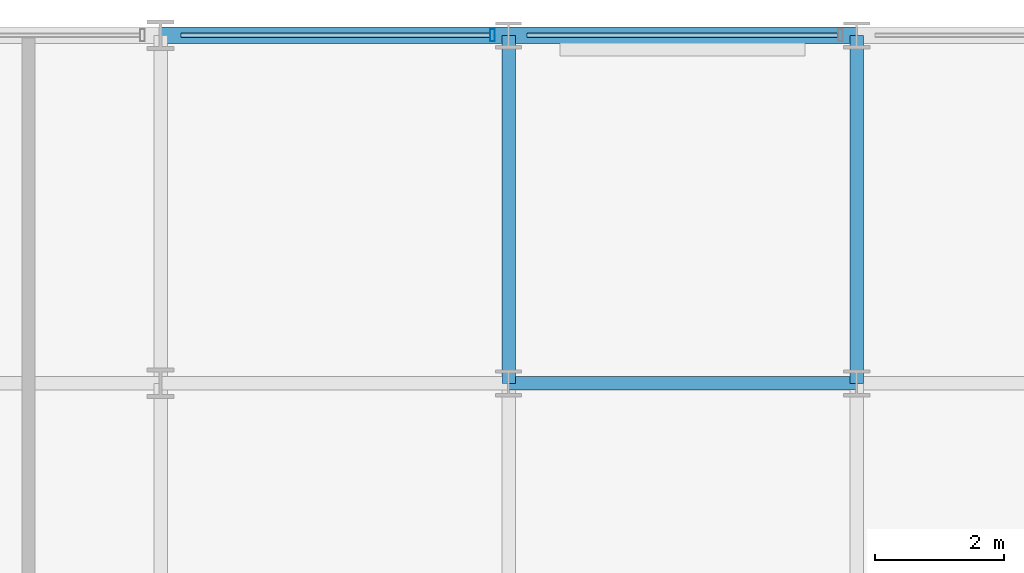
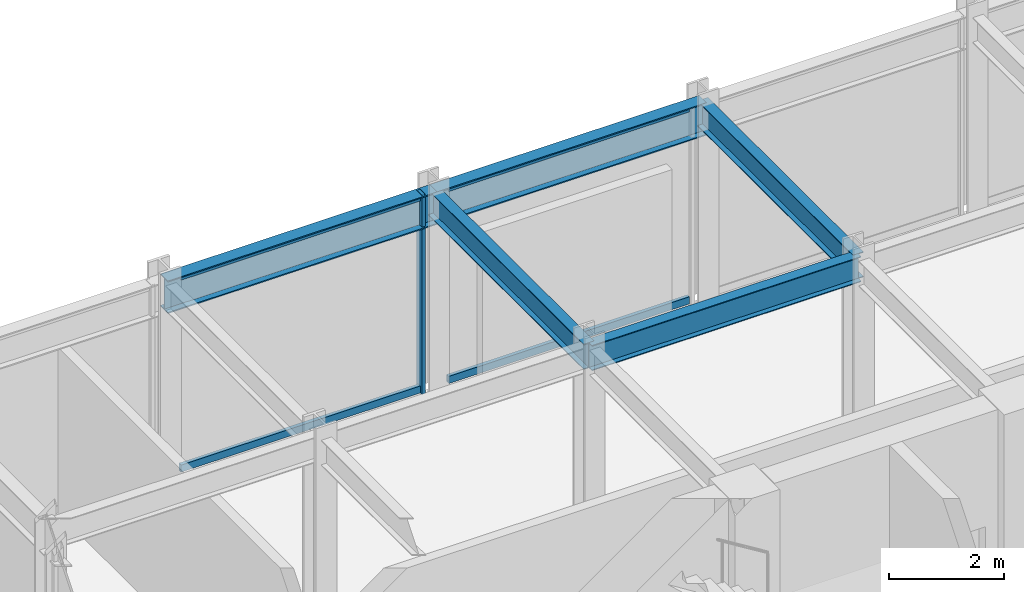
# One storey, part 12 of 22: 5 beams, 5 members, 1 element without a shape of its own.
"""IFC4 building model written with IfcOpenShell, lengths in metres."""

from ifc_helpers import new_model, si_unit, direction, frame, origin, origin_2d, place, context, subcontext, project, spatial, hollow_rectangle, i_section, extrude, material, layer, layer_set, material_profile, profile_set, type_object, element, aggregate, save


model = new_model("IFC4")

# Units and contexts
model_context = context("Model", 3, precision=1e-05, world=origin(), true_north=direction((0.0, 1.0)))
body_context = subcontext(model_context, "Body", "Model", "MODEL_VIEW")
ifc_project = project(units=[si_unit("LENGTHUNIT", "METRE"), si_unit("AREAUNIT", "SQUARE_METRE"), si_unit("VOLUMEUNIT", "CUBIC_METRE"), si_unit("PLANEANGLEUNIT", "RADIAN"), si_unit("MASSUNIT", "GRAM", prefix="KILO")], contexts=[model_context])

# Site, building, storey
site_placement = place(None, origin())
site = spatial("IfcSite", under=ifc_project, at=site_placement, CompositionType="ELEMENT")
building_placement = place(site_placement, origin())
building = spatial("IfcBuilding", under=site, at=building_placement, Name="Surkhivell Harbour Commons", CompositionType="ELEMENT")
storey_placement = place(building_placement, frame((0.0, 0.0, 342.0)))
storey = spatial("IfcBuildingStorey", under=building, at=storey_placement, Name="L89", CompositionType="ELEMENT", Elevation=342.0)

# Beams
ifc_material_1 = material(Name="Steel S355", Category="steel")
ifc_material_profile_1 = material_profile(ifc_material_1, i_section(OverallWidth=0.2099609375, OverallDepth=0.537109375, WebThickness=0.0107421875, FlangeThickness=0.017333984375, at=origin_2d()), Name="UB533x210x101")
ifc_profile_set_1 = profile_set([ifc_material_profile_1], Name="Steel S355")
beam_type_1 = type_object("IfcBeamType", Name="BM-GRD-533B", PredefinedType="BEAM", material=ifc_profile_set_1)
beam_1_placement = place(storey_placement, frame((-5.39990234375, 16.199951171875, 3.951416015625), z_axis=(0.0, 1.0, 0.0), x_axis=(-1.0, 0.0, 0.0)))
element("IfcBeam", 1, at=beam_1_placement, inside=storey, type_object=beam_type_1, Name="L89 Floor Girder (-5.4,16.2)", PredefinedType="BEAM", context=body_context, shape_type="SweptSolid", body=[
    extrude(i_section(OverallWidth=0.2099609375, OverallDepth=0.537109375, WebThickness=0.0107421875, FlangeThickness=0.017333984375, at=origin_2d()), origin(), (0.0, 0.0, 1.0), 5.400146484375),
])
beam_2_placement = place(storey_placement, frame((-5.39990234375, 16.199951171875, 3.951416015625), z_axis=(1.0, 0.0, 0.0), x_axis=(0.0, 1.0, 0.0)))
element("IfcBeam", 2, at=beam_2_placement, inside=storey, type_object=beam_type_1, Name="L89 Floor Girder (-5.4,16.2)", PredefinedType="BEAM", context=body_context, shape_type="SweptSolid", body=[
    extrude(i_section(OverallWidth=0.2099609375, OverallDepth=0.537109375, WebThickness=0.0107421875, FlangeThickness=0.017333984375, at=origin_2d()), origin(), (0.0, 0.0, 1.0), 5.39990234375),
])
beam_3_placement = place(storey_placement, frame((0.0, 16.199951171875, 3.951416015625), z_axis=(0.0, 1.0, 0.0), x_axis=(-1.0, 0.0, 0.0)))
element("IfcBeam", 3, at=beam_3_placement, inside=storey, type_object=beam_type_1, Name="L89 Floor Girder (0.0,16.2)", PredefinedType="BEAM", context=body_context, shape_type="SweptSolid", body=[
    extrude(i_section(OverallWidth=0.2099609375, OverallDepth=0.537109375, WebThickness=0.0107421875, FlangeThickness=0.017333984375, at=origin_2d()), origin(), (0.0, 0.0, 1.0), 5.400146484375),
])
ifc_material_profile_2 = material_profile(ifc_material_1, i_section(OverallWidth=0.256103515625, OverallDepth=0.693115234375, WebThickness=0.014404296875, FlangeThickness=0.023681640625, at=origin_2d()), Name="UB686x254x170")
ifc_profile_set_2 = profile_set([ifc_material_profile_2], Name="Steel S355")
beam_type_2 = type_object("IfcBeamType", Name="BM-SPN-686", PredefinedType="SPANDREL", material=ifc_profile_set_2)
beam_4_placement = place(storey_placement, frame((-10.800048828125, 21.60009765625, 3.87353515625), z_axis=(1.0, 0.0, 0.0), x_axis=(0.0, 1.0, 0.0)))
element("IfcBeam", 4, at=beam_4_placement, inside=storey, type_object=beam_type_2, Name="L89 Tube Spandrel (-10.8,21.6)", PredefinedType="SPANDREL", context=body_context, shape_type="SweptSolid", body=[
    extrude(i_section(OverallWidth=0.256103515625, OverallDepth=0.693115234375, WebThickness=0.014404296875, FlangeThickness=0.023681640625, at=origin_2d()), origin(), (0.0, 0.0, 1.0), 5.400146484375),
])
beam_5_placement = place(storey_placement, frame((-5.39990234375, 21.60009765625, 3.87353515625), z_axis=(1.0, 0.0, 0.0), x_axis=(0.0, 1.0, 0.0)))
element("IfcBeam", 5, at=beam_5_placement, inside=storey, type_object=beam_type_2, Name="L89 Tube Spandrel (-5.4,21.6)", PredefinedType="SPANDREL", context=body_context, shape_type="SweptSolid", body=[
    extrude(i_section(OverallWidth=0.256103515625, OverallDepth=0.693115234375, WebThickness=0.014404296875, FlangeThickness=0.023681640625, at=origin_2d()), origin(), (0.0, 0.0, 1.0), 5.39990234375),
])

# Curtain wall, members
ifc_material_2 = material(Name="Anodised pale-metal aluminium and insulated glazing", Category="aluminium")
ifc_layer = layer(ifc_material_2, 0.22998046875)
ifc_layer_set = layer_set([ifc_layer], Name="Anodised pale-metal aluminium and insulated glazing")
curtain_wall_type = type_object("IfcCurtainWallType", Name="CW-SYS-CRN", PredefinedType="NOTDEFINED", material=ifc_layer_set)
curtain_wall_placement = place(storey_placement, origin())
curtain_wall = element("IfcCurtainWall", 6, at=curtain_wall_placement, inside=storey, type_object=curtain_wall_type, Name="L89 Curtain Wall CW-L89-C05", PredefinedType="NOTDEFINED")
ifc_material_3 = material(Name="Anodised pale-metal aluminium alloy 6063-T6", Category="aluminium")
ifc_material_profile_3 = material_profile(ifc_material_3, hollow_rectangle(XDim=0.074951171875, YDim=0.18994140625, WallThickness=0.00390625, at=origin_2d()), Name="ALU-MULL-75x190")
ifc_profile_set_3 = profile_set([ifc_material_profile_3], Name="Anodised pale-metal aluminium alloy 6063-T6")
member_type_1 = type_object("IfcMemberType", Name="CWM-190", PredefinedType="MULLION", material=ifc_profile_set_3)
member_1_placement = place(storey_placement, frame((-5.6494140625, 21.60009765625, 0.0), z_axis=(0.0, 0.0, 1.0), x_axis=(-1.0, 0.0, 0.0)))
member_1 = element("IfcMember", 7, at=member_1_placement, type_object=member_type_1, Name="CW-CRN mullion 4", PredefinedType="MULLION", context=body_context, shape_type="SweptSolid", body=[
    extrude(hollow_rectangle(XDim=0.074951171875, YDim=0.18994140625, WallThickness=0.00390625, at=origin_2d()), origin(), (0.0, 0.0, 1.0), 4.219970703125),
])
ifc_material_profile_4 = material_profile(ifc_material_3, hollow_rectangle(XDim=0.074951171875, YDim=0.14990234375, WallThickness=0.00341796875, at=origin_2d()), Name="ALU-TRAN-75x150")
ifc_profile_set_4 = profile_set([ifc_material_profile_4], Name="Anodised pale-metal aluminium alloy 6063-T6")
member_type_2 = type_object("IfcMemberType", Name="CWT-150", PredefinedType="USERDEFINED", material=ifc_profile_set_4)
member_2_placement = place(storey_placement, frame((-0.287109375, 21.60009765625, 0.074951171875), z_axis=(-1.0, 0.0, 0.0), x_axis=(0.0, -1.0, 0.0)))
member_2 = element("IfcMember", 8, at=member_2_placement, type_object=member_type_2, Name="CW-CRN transom 3.1", ObjectType="TRANSOM", PredefinedType="USERDEFINED", context=body_context, shape_type="SweptSolid", body=[
    extrude(hollow_rectangle(XDim=0.074951171875, YDim=0.14990234375, WallThickness=0.00341796875, at=origin_2d()), origin(), (0.0, 0.0, 1.0), 4.825927734375),
])
member_3_placement = place(storey_placement, frame((-0.287109375, 21.60009765625, 4.14501953125), z_axis=(-1.0, 0.0, 0.0), x_axis=(0.0, -1.0, 0.0)))
member_3 = element("IfcMember", 9, at=member_3_placement, type_object=member_type_2, Name="CW-CRN transom 3.2", ObjectType="TRANSOM", PredefinedType="USERDEFINED", context=body_context, shape_type="SweptSolid", body=[
    extrude(hollow_rectangle(XDim=0.074951171875, YDim=0.14990234375, WallThickness=0.00341796875, at=origin_2d()), origin(), (0.0, 0.0, 1.0), 4.825927734375),
])
member_4_placement = place(storey_placement, frame((-5.68701171875, 21.60009765625, 0.074951171875), z_axis=(-1.0, 0.0, 0.0), x_axis=(0.0, -1.0, 0.0)))
member_4 = element("IfcMember", 10, at=member_4_placement, type_object=member_type_2, Name="CW-CRN transom 4.1", ObjectType="TRANSOM", PredefinedType="USERDEFINED", context=body_context, shape_type="SweptSolid", body=[
    extrude(hollow_rectangle(XDim=0.074951171875, YDim=0.14990234375, WallThickness=0.00341796875, at=origin_2d()), origin(), (0.0, 0.0, 1.0), 4.7958984375),
])
member_5_placement = place(storey_placement, frame((-5.68701171875, 21.60009765625, 4.14501953125), z_axis=(-1.0, 0.0, 0.0), x_axis=(0.0, -1.0, 0.0)))
member_5 = element("IfcMember", 11, at=member_5_placement, type_object=member_type_2, Name="CW-CRN transom 4.2", ObjectType="TRANSOM", PredefinedType="USERDEFINED", context=body_context, shape_type="SweptSolid", body=[
    extrude(hollow_rectangle(XDim=0.074951171875, YDim=0.14990234375, WallThickness=0.00341796875, at=origin_2d()), origin(), (0.0, 0.0, 1.0), 4.7958984375),
])
aggregate(curtain_wall, [member_2, member_3, member_1, member_4, member_5])

save(model, "model.ifc")
